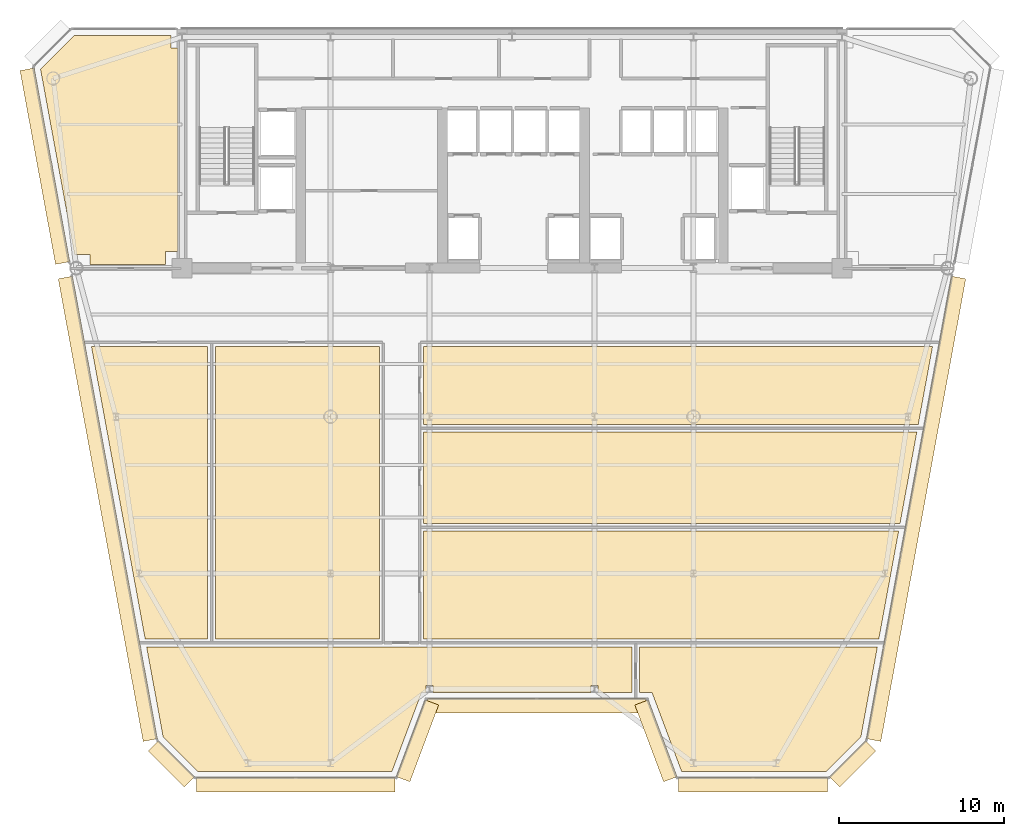
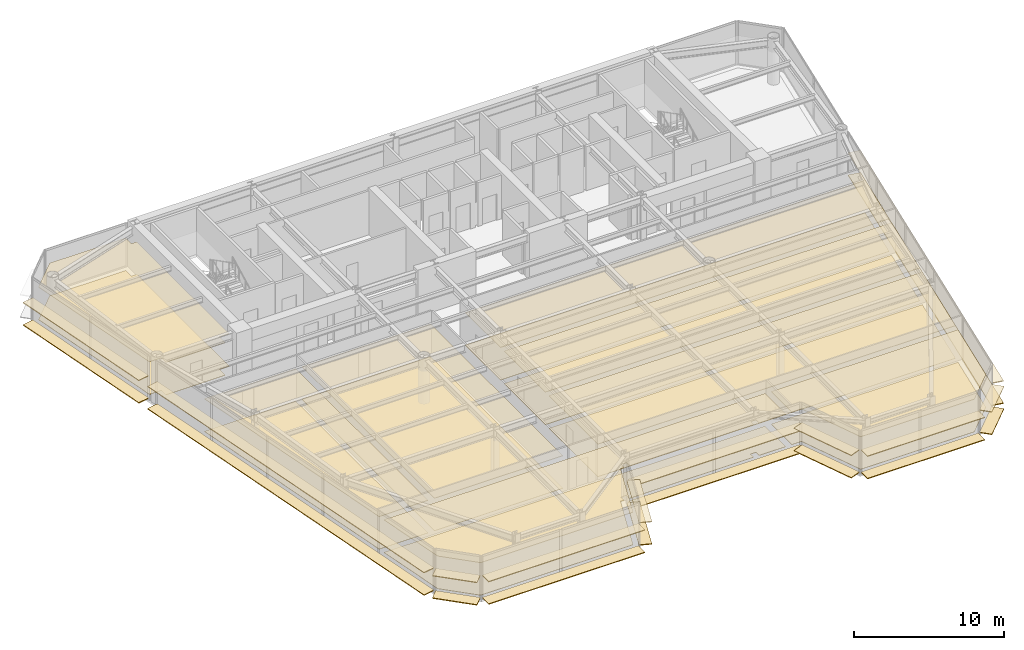
# One storey, part 13 of 16: 36 coverings.
"""IFC4 building model written with IfcOpenShell, lengths in metres."""

from ifc_helpers import new_model, si_unit, direction, frame, origin, origin_2d, place, context, subcontext, project, spatial, polyline, rectangle, outline, extrude, source, transform, mapped, material, layer, layer_set, type_object, element, save


model = new_model("IFC4")

# Units and contexts
model_context = context("Model", 3, precision=1e-05, world=origin(), true_north=direction((0.0, 1.0)))
body_context = subcontext(model_context, "Body", "Model", "MODEL_VIEW")
ifc_project = project(units=[si_unit("LENGTHUNIT", "METRE"), si_unit("AREAUNIT", "SQUARE_METRE"), si_unit("VOLUMEUNIT", "CUBIC_METRE"), si_unit("PLANEANGLEUNIT", "RADIAN"), si_unit("MASSUNIT", "GRAM", prefix="KILO")], contexts=[model_context])

# Site, building, storey
site_placement = place(None, origin())
site = spatial("IfcSite", under=ifc_project, at=site_placement, CompositionType="ELEMENT")
building_placement = place(site_placement, origin())
building = spatial("IfcBuilding", under=site, at=building_placement, Name="Vaeldorn Concourse Tower", CompositionType="ELEMENT")
storey_placement = place(building_placement, frame((0.0, 0.0, 195.60009765625)))
storey = spatial("IfcBuildingStorey", under=building, at=storey_placement, Name="L50", CompositionType="ELEMENT", Elevation=195.60009765625)

# Coverings
ifc_material_1 = material(Name="Acoustic Mineral Fibre Board", Category="gypsum")
ifc_layer_1 = layer(ifc_material_1, 0.0400390625)
ifc_layer_set_1 = layer_set([ifc_layer_1], Name="Acoustic Mineral Fibre Board")
covering_type_1 = type_object("IfcCoveringType", Name="COV-CEIL-ACOUSTIC", PredefinedType="CEILING", material=ifc_layer_set_1)
covering_1_placement = place(storey_placement, frame((0.0, 0.0, 2.64990234375)))
element("IfcCovering", 1, at=covering_1_placement, inside=storey, type_object=covering_type_1, Name="Suspended Acoustic Ceiling L50-3", PredefinedType="CEILING", context=body_context, shape_type="SweptSolid", body=[
    extrude(outline(polyline([(7.4658203125, 50.60009765625), (13.340087890625, 50.60009765625), (13.340087890625, 49.840087890625), (13.760009765625, 49.840087890625), (13.760009765625, 37.5), (13.0, 37.5), (13.0, 36.719970703125), (8.419921875, 36.719970703125), (8.419921875, 37.320068359375), (7.49609375, 37.320068359375), (5.431396484375, 48.565673828125), (7.4658203125, 50.60009765625)])), origin(), (0.0, 0.0, 1.0), 0.0400390625),
])
covering_2_placement = place(storey_placement, frame((0.0, 0.0, 2.64990234375)))
element("IfcCovering", 2, at=covering_2_placement, inside=storey, type_object=covering_type_1, Name="Suspended Acoustic Ceiling L50-5", PredefinedType="CEILING", context=body_context, shape_type="SweptSolid", body=[
    extrude(outline(polyline([(41.260009765625, 13.56005859375), (41.260009765625, 10.800048828125), (39.2060546875, 10.800048828125), (39.2060546875, 11.217529296875), (38.7939453125, 11.217529296875), (38.7939453125, 10.800048828125), (29.2060546875, 10.800048828125), (29.2060546875, 11.217529296875), (28.7939453125, 11.217529296875), (28.7939453125, 10.800048828125), (28.522705078125, 10.800048828125), (26.722900390625, 6.0), (14.956787109375, 6.0), (12.86181640625, 8.0947265625), (11.8583984375, 13.56005859375), (41.260009765625, 13.56005859375)])), origin(), (0.0, 0.0, 1.0), 0.0400390625),
])
covering_3_placement = place(storey_placement, frame((0.0, 0.0, 2.64990234375)))
element("IfcCovering", 3, at=covering_3_placement, inside=storey, type_object=covering_type_1, Name="Suspended Acoustic Ceiling L50-6", PredefinedType="CEILING", context=body_context, shape_type="SweptSolid", body=[
    extrude(outline(polyline([(41.739990234375, 10.800048828125), (41.739990234375, 13.56005859375), (56.1416015625, 13.56005859375), (55.13818359375, 8.0947265625), (53.043212890625, 6.0), (44.277099609375, 6.0), (42.477294921875, 10.800048828125), (41.739990234375, 10.800048828125)])), origin(), (0.0, 0.0, 1.0), 0.0400390625),
])
covering_4_placement = place(storey_placement, frame((0.0, 0.0, 2.64990234375)))
element("IfcCovering", 4, at=covering_4_placement, inside=storey, type_object=covering_type_1, Name="Suspended Acoustic Ceiling L50-7", PredefinedType="CEILING", context=body_context, shape_type="SweptSolid", body=[
    extrude(outline(polyline([(15.56005859375, 31.760009765625), (15.56005859375, 14.0400390625), (11.7705078125, 14.0400390625), (11.16455078125, 17.340087890625), (11.16455078125, 17.340087890625), (8.51708984375, 31.760009765625), (15.56005859375, 31.760009765625)])), origin(), (0.0, 0.0, 1.0), 0.0400390625),
])
covering_5_placement = place(storey_placement, frame((0.0, 0.0, 2.64990234375)))
element("IfcCovering", 5, at=covering_5_placement, inside=storey, type_object=covering_type_1, Name="Suspended Acoustic Ceiling L50-8", PredefinedType="CEILING", context=body_context, shape_type="SweptSolid", body=[
    extrude(outline(polyline([(16.0400390625, 31.760009765625), (25.9599609375, 31.760009765625), (25.9599609375, 14.0400390625), (16.0400390625, 14.0400390625), (16.0400390625, 31.760009765625)])), origin(), (0.0, 0.0, 1.0), 0.0400390625),
])
covering_6_placement = place(storey_placement, frame((0.0, 0.0, 2.64990234375)))
element("IfcCovering", 6, at=covering_6_placement, inside=storey, type_object=covering_type_1, Name="Suspended Acoustic Ceiling L50-9", PredefinedType="CEILING", context=body_context, shape_type="SweptSolid", body=[
    extrude(outline(polyline([(28.639892578125, 14.0400390625), (28.639892578125, 20.56005859375), (57.4267578125, 20.56005859375), (57.015380859375, 18.31982421875), (56.2294921875, 14.0400390625), (28.639892578125, 14.0400390625)])), origin(), (0.0, 0.0, 1.0), 0.0400390625),
])
covering_7_placement = place(storey_placement, frame((0.0, 0.0, 2.64990234375)))
element("IfcCovering", 7, at=covering_7_placement, inside=storey, type_object=covering_type_1, Name="Suspended Acoustic Ceiling L50-10", PredefinedType="CEILING", context=body_context, shape_type="SweptSolid", body=[
    extrude(outline(polyline([(28.639892578125, 21.0400390625), (28.639892578125, 26.56005859375), (58.5283203125, 26.56005859375), (57.514892578125, 21.0400390625), (28.639892578125, 21.0400390625)])), origin(), (0.0, 0.0, 1.0), 0.0400390625),
])
covering_8_placement = place(storey_placement, frame((0.0, 0.0, 2.64990234375)))
element("IfcCovering", 8, at=covering_8_placement, inside=storey, type_object=covering_type_1, Name="Suspended Acoustic Ceiling L50-11", PredefinedType="CEILING", context=body_context, shape_type="SweptSolid", body=[
    extrude(outline(polyline([(28.639892578125, 31.760009765625), (59.48291015625, 31.760009765625), (58.616455078125, 27.0400390625), (28.639892578125, 27.0400390625), (28.639892578125, 31.760009765625)])), origin(), (0.0, 0.0, 1.0), 0.0400390625),
])
ifc_material_2 = material(Name="Honed Limestone Terrazzo Flooring", Category="masonry")
ifc_layer_2 = layer(ifc_material_2, 0.0400390625)
ifc_layer_set_2 = layer_set([ifc_layer_2], Name="Honed Limestone Terrazzo Flooring")
covering_type_2 = type_object("IfcCoveringType", Name="COV-FLOOR-STONE", PredefinedType="FLOORING", material=ifc_layer_set_2)
covering_9_placement = place(storey_placement, origin())
element("IfcCovering", 9, at=covering_9_placement, inside=storey, type_object=covering_type_2, Name="Floor Finish Covering L50-3", PredefinedType="FLOORING", context=body_context, shape_type="SweptSolid", body=[
    extrude(outline(polyline([(7.4658203125, 50.60009765625), (13.340087890625, 50.60009765625), (13.340087890625, 49.840087890625), (13.760009765625, 49.840087890625), (13.760009765625, 37.5), (13.0, 37.5), (13.0, 36.719970703125), (8.419921875, 36.719970703125), (8.419921875, 37.320068359375), (7.49609375, 37.320068359375), (5.431396484375, 48.565673828125), (7.4658203125, 50.60009765625)])), origin(), (0.0, 0.0, 1.0), 0.02978515625),
])
covering_10_placement = place(storey_placement, origin())
element("IfcCovering", 10, at=covering_10_placement, inside=storey, type_object=covering_type_2, Name="Floor Finish Covering L50-5", PredefinedType="FLOORING", context=body_context, shape_type="SweptSolid", body=[
    extrude(outline(polyline([(41.260009765625, 13.56005859375), (41.260009765625, 10.800048828125), (39.2060546875, 10.800048828125), (39.2060546875, 11.217529296875), (38.7939453125, 11.217529296875), (38.7939453125, 10.800048828125), (29.2060546875, 10.800048828125), (29.2060546875, 11.217529296875), (28.7939453125, 11.217529296875), (28.7939453125, 10.800048828125), (28.522705078125, 10.800048828125), (26.722900390625, 6.0), (14.956787109375, 6.0), (12.86181640625, 8.0947265625), (11.8583984375, 13.56005859375), (41.260009765625, 13.56005859375)])), origin(), (0.0, 0.0, 1.0), 0.02978515625),
])
covering_11_placement = place(storey_placement, origin())
element("IfcCovering", 11, at=covering_11_placement, inside=storey, type_object=covering_type_2, Name="Floor Finish Covering L50-6", PredefinedType="FLOORING", context=body_context, shape_type="SweptSolid", body=[
    extrude(outline(polyline([(41.739990234375, 10.800048828125), (41.739990234375, 13.56005859375), (56.1416015625, 13.56005859375), (55.13818359375, 8.0947265625), (53.043212890625, 6.0), (44.277099609375, 6.0), (42.477294921875, 10.800048828125), (41.739990234375, 10.800048828125)])), origin(), (0.0, 0.0, 1.0), 0.02978515625),
])
covering_12_placement = place(storey_placement, origin())
element("IfcCovering", 12, at=covering_12_placement, inside=storey, type_object=covering_type_2, Name="Floor Finish Covering L50-7", PredefinedType="FLOORING", context=body_context, shape_type="SweptSolid", body=[
    extrude(outline(polyline([(15.56005859375, 31.760009765625), (15.56005859375, 14.0400390625), (11.7705078125, 14.0400390625), (11.16455078125, 17.340087890625), (11.16455078125, 17.340087890625), (8.51708984375, 31.760009765625), (15.56005859375, 31.760009765625)])), origin(), (0.0, 0.0, 1.0), 0.02978515625),
])
covering_13_placement = place(storey_placement, origin())
element("IfcCovering", 13, at=covering_13_placement, inside=storey, type_object=covering_type_2, Name="Floor Finish Covering L50-8", PredefinedType="FLOORING", context=body_context, shape_type="SweptSolid", body=[
    extrude(outline(polyline([(16.0400390625, 31.760009765625), (25.9599609375, 31.760009765625), (25.9599609375, 14.0400390625), (16.0400390625, 14.0400390625), (16.0400390625, 31.760009765625)])), origin(), (0.0, 0.0, 1.0), 0.02978515625),
])
covering_14_placement = place(storey_placement, origin())
element("IfcCovering", 14, at=covering_14_placement, inside=storey, type_object=covering_type_2, Name="Floor Finish Covering L50-9", PredefinedType="FLOORING", context=body_context, shape_type="SweptSolid", body=[
    extrude(outline(polyline([(28.639892578125, 14.0400390625), (28.639892578125, 20.56005859375), (57.4267578125, 20.56005859375), (57.015380859375, 18.31982421875), (56.2294921875, 14.0400390625), (28.639892578125, 14.0400390625)])), origin(), (0.0, 0.0, 1.0), 0.02978515625),
])
covering_15_placement = place(storey_placement, origin())
element("IfcCovering", 15, at=covering_15_placement, inside=storey, type_object=covering_type_2, Name="Floor Finish Covering L50-10", PredefinedType="FLOORING", context=body_context, shape_type="SweptSolid", body=[
    extrude(outline(polyline([(28.639892578125, 21.0400390625), (28.639892578125, 26.56005859375), (58.5283203125, 26.56005859375), (57.514892578125, 21.0400390625), (28.639892578125, 21.0400390625)])), origin(), (0.0, 0.0, 1.0), 0.02978515625),
])
covering_16_placement = place(storey_placement, origin())
element("IfcCovering", 16, at=covering_16_placement, inside=storey, type_object=covering_type_2, Name="Floor Finish Covering L50-11", PredefinedType="FLOORING", context=body_context, shape_type="SweptSolid", body=[
    extrude(outline(polyline([(28.639892578125, 31.760009765625), (59.48291015625, 31.760009765625), (58.616455078125, 27.0400390625), (28.639892578125, 27.0400390625), (28.639892578125, 31.760009765625)])), origin(), (0.0, 0.0, 1.0), 0.02978515625),
])
ifc_material_3 = material(Name="Anodised Bronze Aluminium", Category="aluminium")
ifc_layer_3 = layer(ifc_material_3, 0.06494140625)
ifc_layer_set_3 = layer_set([ifc_layer_3], Name="Anodised Bronze Aluminium")
covering_type_3 = type_object("IfcCoveringType", Name="SD-BRONZE-SUNSHADE", PredefinedType="USERDEFINED", material=ifc_layer_set_3)
shared_shape_1 = source(origin(), body_context, "Body", "SweptSolid", [
    extrude(rectangle(XDim=4.96630859375, YDim=0.8798828125, at=origin_2d()), origin(), (0.0, 0.0, 1.0), 0.06494140625),
])
for number, where, z_axis, x_axis, name in (
    (17, (28.2744140625, 7.859619140625, 0.04736328125), (0.0, 0.0, 1.0), (0.351122702609, 0.936329454686, 0.0), "Horizontal Bronze Sunshade L50-E02.1.1"),
    (18, (28.2744140625, 7.859619140625, 1.867431640625), (0.0, 0.0, 1.0), (0.351122702609, 0.936329454686, 0.0), "Horizontal Bronze Sunshade L50-E02.1.2"),
    (19, (42.7255859375, 7.859619140625, 0.04736328125), (0.0, 0.0, 1.0), (0.351122702609, -0.936329454686, 0.0), "Horizontal Bronze Sunshade L50-E04.1.1"),
    (20, (42.7255859375, 7.859619140625, 1.867431640625), (0.0, 0.0, 1.0), (0.351122702609, -0.936329454686, 0.0), "Horizontal Bronze Sunshade L50-E04.1.2"),
):
    element("IfcCovering", number, at=place(storey_placement, frame(where, z_axis=z_axis, x_axis=x_axis)), inside=storey, type_object=covering_type_3, Name=name, ObjectType="SUNSHADE", PredefinedType="USERDEFINED", context=body_context, shape_type="MappedRepresentation", body=[
        mapped(shared_shape_1, transform((0.0, 0.0, 0.0), scale=1.0)),
    ])
shared_shape_2 = source(origin(), body_context, "Body", "SweptSolid", [
    extrude(rectangle(XDim=13.239990234375, YDim=0.8798828125, at=origin_2d()), origin(), (0.0, 0.0, 1.0), 0.06494140625),
])
for number, where, z_axis, x_axis, name in (
    (21, (35.5, 10.0, 0.04736328125), (0.0, 0.0, 1.0), (1.0, 0.0, 0.0), "Horizontal Bronze Sunshade L50-E03.1.1"),
    (22, (35.5, 10.0, 1.867431640625), (0.0, 0.0, 1.0), (1.0, 0.0, 0.0), "Horizontal Bronze Sunshade L50-E03.1.2"),
):
    element("IfcCovering", number, at=place(storey_placement, frame(where, z_axis=z_axis, x_axis=x_axis)), inside=storey, type_object=covering_type_3, Name=name, ObjectType="SUNSHADE", PredefinedType="USERDEFINED", context=body_context, shape_type="MappedRepresentation", body=[
        mapped(shared_shape_2, transform((0.0, 0.0, 0.0), scale=1.0)),
    ])
shared_shape_3 = source(origin(), body_context, "Body", "SweptSolid", [
    extrude(rectangle(XDim=3.0927734375, YDim=0.8798828125, at=origin_2d()), origin(), (0.0, 0.0, 1.0), 0.06494140625),
])
for number, where, z_axis, x_axis, name in (
    (23, (54.641845703125, 6.46728515625, 0.04736328125), (0.0, 0.0, 1.0), (0.707106781187, 0.707106781187, 0.0), "Horizontal Bronze Sunshade L50-E06.1.1"),
    (24, (54.641845703125, 6.46728515625, 1.867431640625), (0.0, 0.0, 1.0), (0.707106781187, 0.707106781187, 0.0), "Horizontal Bronze Sunshade L50-E06.1.2"),
    (25, (13.358154296875, 6.46728515625, 0.04736328125), (0.0, 0.0, 1.0), (0.707106781187, -0.707106781187, 0.0), "Horizontal Bronze Sunshade L50-E12.1.1"),
    (26, (13.358154296875, 6.46728515625, 1.867431640625), (0.0, 0.0, 1.0), (0.707106781187, -0.707106781187, 0.0), "Horizontal Bronze Sunshade L50-E12.1.2"),
):
    element("IfcCovering", number, at=place(storey_placement, frame(where, z_axis=z_axis, x_axis=x_axis)), inside=storey, type_object=covering_type_3, Name=name, ObjectType="SUNSHADE", PredefinedType="USERDEFINED", context=body_context, shape_type="MappedRepresentation", body=[
        mapped(shared_shape_3, transform((0.0, 0.0, 0.0), scale=1.0)),
    ])
shared_shape_4 = source(origin(), body_context, "Body", "SweptSolid", [
    extrude(rectangle(XDim=28.49462890625, YDim=0.8798828125, at=origin_2d()), origin(), (0.0, 0.0, 1.0), 0.06494140625),
])
for number, where, z_axis, x_axis, name in (
    (27, (58.48974609375, 21.91943359375, 0.04736328125), (0.0, 0.0, 1.0), (0.180587811053, 0.983558865803, 0.0), "Horizontal Bronze Sunshade L50-E07.1.1"),
    (28, (58.48974609375, 21.91943359375, 1.867431640625), (0.0, 0.0, 1.0), (0.180587811053, 0.983558865803, 0.0), "Horizontal Bronze Sunshade L50-E07.1.2"),
    (29, (9.51025390625, 21.91943359375, 0.04736328125), (0.0, 0.0, 1.0), (0.180587811053, -0.983558865803, 0.0), "Horizontal Bronze Sunshade L50-E11.2.1"),
    (30, (9.51025390625, 21.91943359375, 1.867431640625), (0.0, 0.0, 1.0), (0.180587811053, -0.983558865803, 0.0), "Horizontal Bronze Sunshade L50-E11.2.2"),
):
    element("IfcCovering", number, at=place(storey_placement, frame(where, z_axis=z_axis, x_axis=x_axis)), inside=storey, type_object=covering_type_3, Name=name, ObjectType="SUNSHADE", PredefinedType="USERDEFINED", context=body_context, shape_type="MappedRepresentation", body=[
        mapped(shared_shape_4, transform((0.0, 0.0, 0.0), scale=1.0)),
    ])
shared_shape_5 = source(origin(), body_context, "Body", "SweptSolid", [
    extrude(rectangle(XDim=11.931396484375, YDim=0.8798828125, at=origin_2d()), origin(), (0.0, 0.0, 1.0), 0.06494140625),
])
for number, where, z_axis, x_axis, name in (
    (31, (5.6982421875, 42.681396484375, 0.04736328125), (0.0, 0.0, 1.0), (0.180587811053, -0.983558865803, 0.0), "Horizontal Bronze Sunshade L50-E11.1.1"),
    (32, (5.6982421875, 42.681396484375, 1.867431640625), (0.0, 0.0, 1.0), (0.180587811053, -0.983558865803, 0.0), "Horizontal Bronze Sunshade L50-E11.1.2"),
):
    element("IfcCovering", number, at=place(storey_placement, frame(where, z_axis=z_axis, x_axis=x_axis)), inside=storey, type_object=covering_type_3, Name=name, ObjectType="SUNSHADE", PredefinedType="USERDEFINED", context=body_context, shape_type="MappedRepresentation", body=[
        mapped(shared_shape_5, transform((0.0, 0.0, 0.0), scale=1.0)),
    ])
shared_shape_6 = source(origin(), body_context, "Body", "SweptSolid", [
    extrude(rectangle(XDim=12.049072265625, YDim=0.8798828125, at=origin_2d()), origin(), (0.0, 0.0, 1.0), 0.06494140625),
])
for number, where, z_axis, x_axis, name in (
    (33, (20.8955078125, 5.199951171875, 0.04736328125), (0.0, 0.0, 1.0), (1.0, 0.0, 0.0), "Horizontal Bronze Sunshade L50-E01.1.1"),
    (34, (20.8955078125, 5.199951171875, 1.867431640625), (0.0, 0.0, 1.0), (1.0, 0.0, 0.0), "Horizontal Bronze Sunshade L50-E01.1.2"),
):
    element("IfcCovering", number, at=place(storey_placement, frame(where, z_axis=z_axis, x_axis=x_axis)), inside=storey, type_object=covering_type_3, Name=name, ObjectType="SUNSHADE", PredefinedType="USERDEFINED", context=body_context, shape_type="MappedRepresentation", body=[
        mapped(shared_shape_6, transform((0.0, 0.0, 0.0), scale=1.0)),
    ])
shared_shape_7 = source(origin(), body_context, "Body", "SweptSolid", [
    extrude(rectangle(XDim=9.049072265625, YDim=0.8798828125, at=origin_2d()), origin(), (0.0, 0.0, 1.0), 0.06494140625),
])
for number, where, z_axis, x_axis, name in (
    (35, (48.6044921875, 5.199951171875, 0.04736328125), (0.0, 0.0, 1.0), (1.0, 0.0, 0.0), "Horizontal Bronze Sunshade L50-E05.1.1"),
    (36, (48.6044921875, 5.199951171875, 1.867431640625), (0.0, 0.0, 1.0), (1.0, 0.0, 0.0), "Horizontal Bronze Sunshade L50-E05.1.2"),
):
    element("IfcCovering", number, at=place(storey_placement, frame(where, z_axis=z_axis, x_axis=x_axis)), inside=storey, type_object=covering_type_3, Name=name, ObjectType="SUNSHADE", PredefinedType="USERDEFINED", context=body_context, shape_type="MappedRepresentation", body=[
        mapped(shared_shape_7, transform((0.0, 0.0, 0.0), scale=1.0)),
    ])

save(model, "model.ifc")
